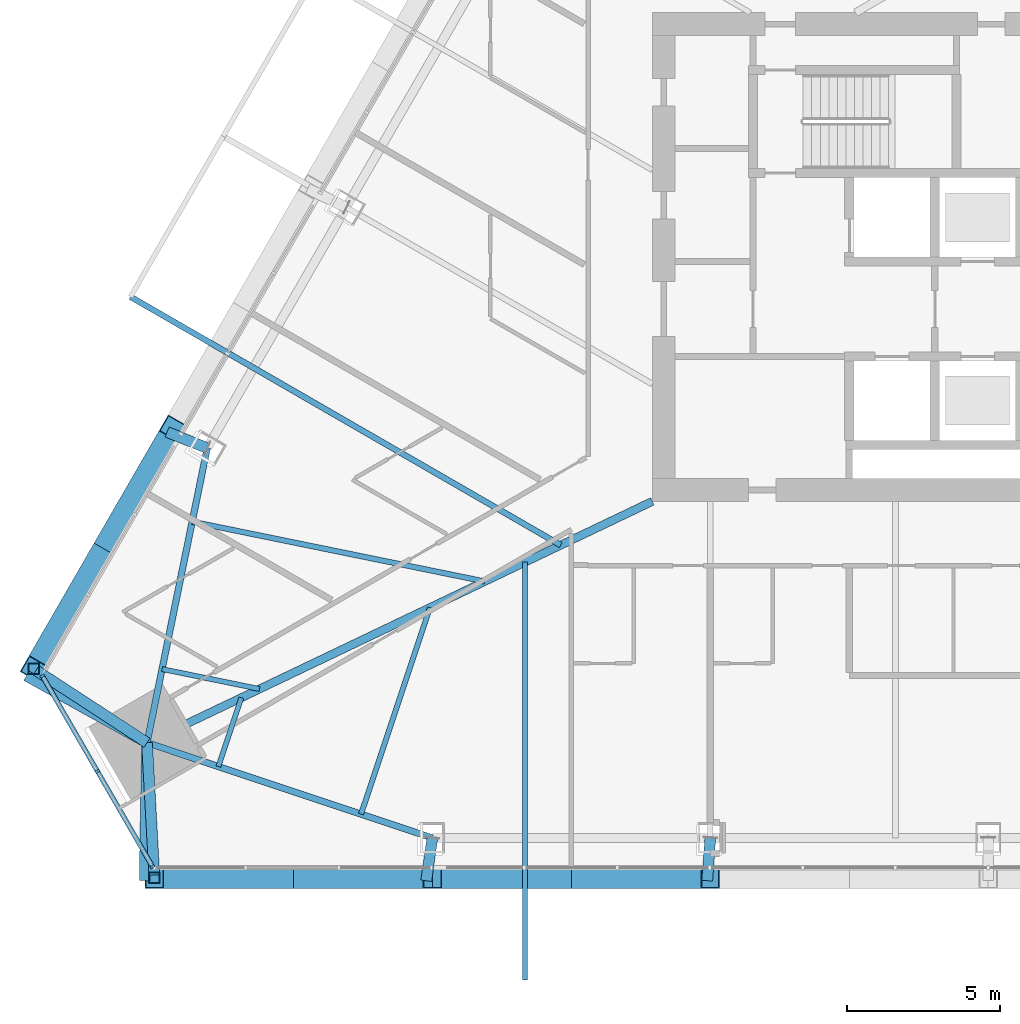
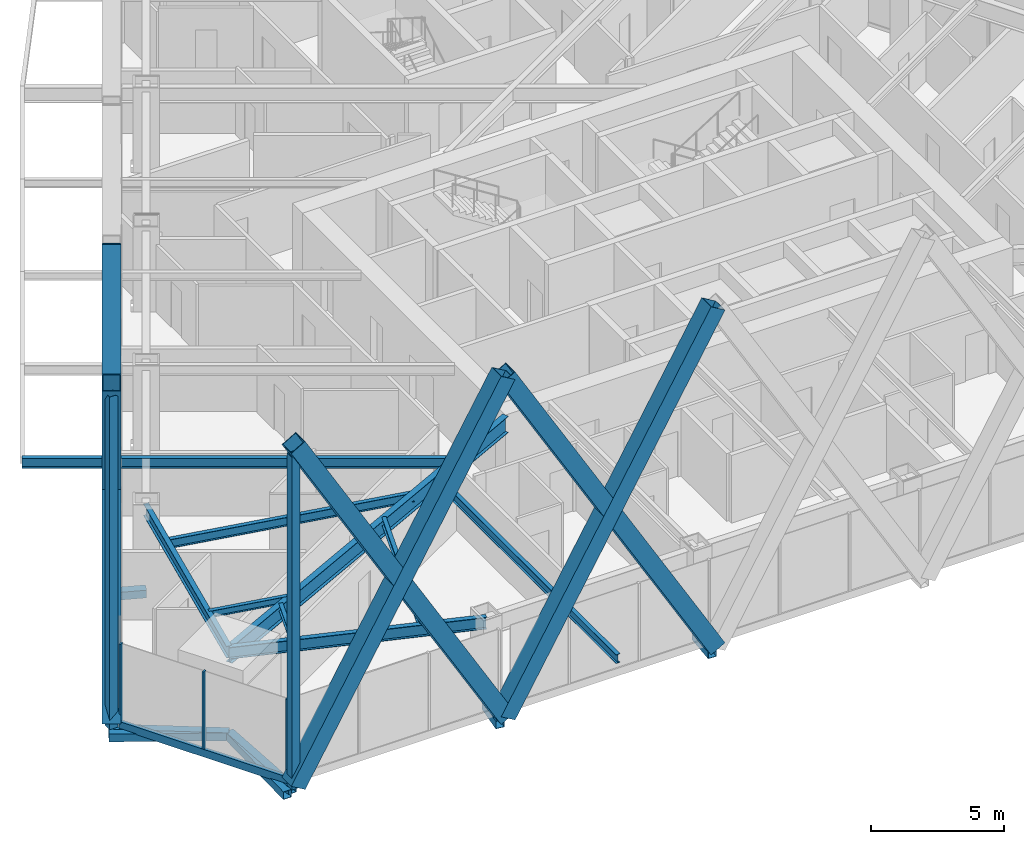
# One storey, part 2 of 26: 19 members, 9 beams, 1 element without a shape of its own.
"""IFC4 building model written with IfcOpenShell, lengths in metres."""

from ifc_helpers import new_model, si_unit, direction, frame, origin, origin_2d, place, context, subcontext, project, spatial, rectangle, hollow_rectangle, i_section, extrude, material, layer, layer_set, material_profile, profile_set, type_object, element, aggregate, save


model = new_model("IFC4")

# Units and contexts
model_context = context("Model", 3, precision=1e-05, world=origin(), true_north=direction((0.0, 1.0)))
body_context = subcontext(model_context, "Body", "Model", "MODEL_VIEW")
ifc_project = project(units=[si_unit("LENGTHUNIT", "METRE"), si_unit("AREAUNIT", "SQUARE_METRE"), si_unit("VOLUMEUNIT", "CUBIC_METRE"), si_unit("PLANEANGLEUNIT", "RADIAN"), si_unit("MASSUNIT", "GRAM", prefix="KILO")], contexts=[model_context])

# Site, building, storey
site_placement = place(None, origin())
site = spatial("IfcSite", under=ifc_project, at=site_placement, CompositionType="ELEMENT")
building_placement = place(site_placement, origin())
building = spatial("IfcBuilding", under=site, at=building_placement, Name="Firuza Gate Tower and Library", CompositionType="ELEMENT")
storey_placement = place(building_placement, frame((0.0, 0.0, 155.800048828125)))
storey = spatial("IfcBuildingStorey", under=building, at=storey_placement, Name="L35", CompositionType="ELEMENT", Elevation=155.800048828125)

# Members
ifc_material_1 = material(Name="Steel S355", Category="steel")
ifc_material_profile_1 = material_profile(ifc_material_1, hollow_rectangle(XDim=0.699951171875, YDim=0.699951171875, WallThickness=0.030029296875, at=origin_2d()))
ifc_profile_set_1 = profile_set([ifc_material_profile_1], Name="Steel S355")
member_type_1 = type_object("IfcMemberType", Name="BU700x700x30 Lattice brace", PredefinedType="BRACE", material=ifc_profile_set_1)
for number, where, z_axis, x_axis, name in (
    (1, (47.699951171875, 54.681396484375, 0.0), (0.503878590111, 0.0, 0.863774488178), (0.0, 1.0, 0.0), "Lattice brace S 8.1R"),
    (2, (56.800048828125, 54.681396484375, 0.0), (-0.503878590111, 0.0, 0.863774488178), (0.0, -1.0, 0.0), "Lattice brace S 8.1L"),
    (3, (56.800048828125, 54.681396484375, 0.0), (0.503868503969, 0.0, 0.863780371801), (0.0, 1.0, 0.0), "Lattice brace S 8.2R"),
    (4, (65.89990234375, 54.681396484375, 0.0), (-0.503868503969, 0.0, 0.863780371801), (0.0, -1.0, 0.0), "Lattice brace S 8.2L"),
    (5, (48.3037109375, 69.397705078125, 0.0), (-0.251939638216, -0.436369132457, 0.863775664704), (0.866023855101, -0.500002682389, 0.0), "Lattice brace W 8.6R"),
    (6, (43.753662109375, 61.516845703125, 0.0), (0.251939638216, 0.436369132457, 0.863775664704), (-0.866023855101, 0.500002682389, 0.0), "Lattice brace W 8.6L"),
):
    element("IfcMember", number, at=place(storey_placement, frame(where, z_axis=z_axis, x_axis=x_axis)), inside=storey, type_object=member_type_1, Name=name, PredefinedType="BRACE", context=body_context, shape_type="SweptSolid", body=[
        extrude(hollow_rectangle(XDim=0.699951171875, YDim=0.699951171875, WallThickness=0.030029296875, at=origin_2d()), origin(), (0.0, 0.0, 1.0), 18.06005859375),
    ])

# Curtain wall, members
ifc_material_2 = material(Name="Aluminium 6063-T6", Category="aluminium")
ifc_layer = layer(ifc_material_2, 0.14990234375)
ifc_layer_set = layer_set([ifc_layer], Name="Corner curtain wall, chamfers")
curtain_wall_type = type_object("IfcCurtainWallType", Name="Corner curtain wall, chamfers", PredefinedType="NOTDEFINED", material=ifc_layer_set)
curtain_wall_placement = place(storey_placement, origin())
curtain_wall = element("IfcCurtainWall", 7, at=curtain_wall_placement, inside=storey, type_object=curtain_wall_type, Name="CW4 L35 SW corner", PredefinedType="NOTDEFINED")
ifc_material_3 = material(Name="Aluminium 6063-T6", Category="aluminium")
ifc_material_profile_2 = material_profile(ifc_material_3, rectangle(XDim=0.14990234375, YDim=0.080078125, at=origin_2d()))
ifc_profile_set_2 = profile_set([ifc_material_profile_2], Name="Aluminium 6063-T6")
member_type_2 = type_object("IfcMemberType", Name="Curtain wall mullion 80x150", PredefinedType="MULLION", material=ifc_profile_set_2)
member_1_placement = place(storey_placement, frame((44.033447265625, 61.2822265625, 0.14990234375), z_axis=(0.0, 0.0, 1.0), x_axis=(0.866025403784, 0.5, 0.0)))
member_1 = element("IfcMember", 8, at=member_1_placement, type_object=member_type_2, Name="Mullion", PredefinedType="MULLION", context=body_context, shape_type="SweptSolid", body=[
    extrude(rectangle(XDim=0.14990234375, YDim=0.080078125, at=origin_2d()), origin(), (0.0, 0.0, 1.0), 3.550048828125),
])
member_2_placement = place(storey_placement, frame((45.8349609375, 58.16162109375, 0.14990234375), z_axis=(0.0, 0.0, 1.0), x_axis=(0.866025403784, 0.5, 0.0)))
member_2 = element("IfcMember", 9, at=member_2_placement, type_object=member_type_2, Name="Mullion", PredefinedType="MULLION", context=body_context, shape_type="SweptSolid", body=[
    extrude(rectangle(XDim=0.14990234375, YDim=0.080078125, at=origin_2d()), origin(), (0.0, 0.0, 1.0), 3.550048828125),
])
member_3_placement = place(storey_placement, frame((47.63671875, 55.041015625, 0.14990234375), z_axis=(0.0, 0.0, 1.0), x_axis=(0.866025403784, 0.5, 0.0)))
member_3 = element("IfcMember", 10, at=member_3_placement, type_object=member_type_2, Name="Mullion", PredefinedType="MULLION", context=body_context, shape_type="SweptSolid", body=[
    extrude(rectangle(XDim=0.14990234375, YDim=0.080078125, at=origin_2d()), origin(), (0.0, 0.0, 1.0), 3.550048828125),
])
ifc_material_4 = material(Name="Aluminium 6063-T6", Category="aluminium")
ifc_material_profile_3 = material_profile(ifc_material_4, rectangle(XDim=0.14990234375, YDim=0.35009765625, at=origin_2d()))
ifc_profile_set_3 = profile_set([ifc_material_profile_3], Name="Aluminium 6063-T6")
member_type_3 = type_object("IfcMemberType", Name="Curtain wall transom 350x150", PredefinedType="USERDEFINED", material=ifc_profile_set_3)
member_4_placement = place(storey_placement, frame((44.013427734375, 61.31689453125, -0.025146484375), z_axis=(0.499991211061, -0.866030478021, 0.0), x_axis=(0.866030478021, 0.499991211061, 0.0)))
member_4 = element("IfcMember", 11, at=member_4_placement, type_object=member_type_3, Name="Transom", ObjectType="TRANSOM", PredefinedType="USERDEFINED", context=body_context, shape_type="SweptSolid", body=[
    extrude(rectangle(XDim=0.14990234375, YDim=0.35009765625, at=origin_2d()), origin(), (0.0, 0.0, 1.0), 7.286865234375),
])
aggregate(curtain_wall, [member_1, member_2, member_3, member_4])

# Members
ifc_material_5 = material(Name="Steel S355", Category="steel")
ifc_material_profile_4 = material_profile(ifc_material_5, hollow_rectangle(XDim=0.355712890625, YDim=0.355712890625, WallThickness=0.014892578125, at=origin_2d()))
ifc_profile_set_4 = profile_set([ifc_material_profile_4], Name="Steel S355")
member_type_4 = type_object("IfcMemberType", Name="HSS356x356x16 Lattice corner stile", PredefinedType="BRACE", material=ifc_profile_set_4)
for number, where, z_axis, x_axis, name in (
    (12, (47.699951171875, 54.681396484375, -0.14013671875), (0.0, 0.0, 1.0), (1.0, 0.0, 0.0), "Lattice corner stile S 8.A"),
    (13, (43.753662109375, 61.516845703125, -0.14013671875), (0.0, 0.0, 1.0), (1.0, 0.0, 0.0), "Lattice corner stile W 8.B"),
):
    element("IfcMember", number, at=place(storey_placement, frame(where, z_axis=z_axis, x_axis=x_axis)), inside=storey, type_object=member_type_4, Name=name, PredefinedType="BRACE", context=body_context, shape_type="SweptSolid", body=[
        extrude(hollow_rectangle(XDim=0.355712890625, YDim=0.355712890625, WallThickness=0.014892578125, at=origin_2d()), origin(), (0.0, 0.0, 1.0), 15.239990234375),
    ])
ifc_material_6 = material(Name="Steel S355", Category="steel")
ifc_material_profile_5 = material_profile(ifc_material_6, hollow_rectangle(XDim=0.355712890625, YDim=0.355712890625, WallThickness=0.014892578125, at=origin_2d()))
ifc_profile_set_5 = profile_set([ifc_material_profile_5], Name="Steel S355")
member_type_5 = type_object("IfcMemberType", Name="HSS356x356x16 Lattice node tie", PredefinedType="BRACE", material=ifc_profile_set_5)
member_5_placement = place(storey_placement, frame((47.458740234375, 59.09912109375, -0.340087890625), z_axis=(-0.017128917678, -0.999853289328, 0.0), x_axis=(0.999853289328, -0.017128917678, 0.0)))
element("IfcMember", 14, at=member_5_placement, inside=storey, type_object=member_type_5, Name="Lattice node tie S L35 157", PredefinedType="BRACE", context=body_context, shape_type="SweptSolid", body=[
    extrude(hollow_rectangle(XDim=0.355712890625, YDim=0.355712890625, WallThickness=0.014892578125, at=origin_2d()), origin(), (0.0, 0.0, 1.0), 4.518310546875),
])
member_6_placement = place(storey_placement, frame((47.458740234375, 59.09912109375, -0.340087890625), z_axis=(0.054519569981, -0.998512702217, 0.0), x_axis=(0.998512702217, 0.054519569981, 0.0)))
element("IfcMember", 15, at=member_6_placement, inside=storey, type_object=member_type_5, Name="Lattice node tie S L35 158", PredefinedType="BRACE", context=body_context, shape_type="SweptSolid", body=[
    extrude(hollow_rectangle(XDim=0.355712890625, YDim=0.355712890625, WallThickness=0.014892578125, at=origin_2d()), origin(), (0.0, 0.0, 1.0), 4.339111328125),
])
member_7_placement = place(storey_placement, frame((56.800048828125, 55.9814453125, -0.340087890625), z_axis=(-0.142314863465, -0.989821438259, 0.0), x_axis=(0.989821438259, -0.142314863465, 0.0)))
element("IfcMember", 16, at=member_7_placement, inside=storey, type_object=member_type_5, Name="Lattice node tie S L35 159", PredefinedType="BRACE", context=body_context, shape_type="SweptSolid", body=[
    extrude(hollow_rectangle(XDim=0.355712890625, YDim=0.355712890625, WallThickness=0.014892578125, at=origin_2d()), origin(), (0.0, 0.0, 1.0), 1.415283203125),
])
member_8_placement = place(storey_placement, frame((65.89990234375, 55.9814453125, -0.340087890625), z_axis=(-0.071654916629, -0.997429482682, 0.0), x_axis=(0.997429482682, -0.071654916629, 0.0)))
element("IfcMember", 17, at=member_8_placement, inside=storey, type_object=member_type_5, Name="Lattice node tie S L35 160", PredefinedType="BRACE", context=body_context, shape_type="SweptSolid", body=[
    extrude(hollow_rectangle(XDim=0.355712890625, YDim=0.355712890625, WallThickness=0.014892578125, at=origin_2d()), origin(), (0.0, 0.0, 1.0), 1.40380859375),
])
member_9_placement = place(storey_placement, frame((47.458740234375, 59.09912109375, -0.340087890625), z_axis=(-0.874468060041, 0.485083098003, 0.0), x_axis=(-0.485083098003, -0.874468060041, 0.0)))
element("IfcMember", 18, at=member_9_placement, inside=storey, type_object=member_type_5, Name="Lattice node tie W L35 166", PredefinedType="BRACE", context=body_context, shape_type="SweptSolid", body=[
    extrude(hollow_rectangle(XDim=0.355712890625, YDim=0.355712890625, WallThickness=0.014892578125, at=origin_2d()), origin(), (0.0, 0.0, 1.0), 4.51806640625),
])
member_10_placement = place(storey_placement, frame((47.458740234375, 59.09912109375, -0.340087890625), z_axis=(-0.837471778281, 0.546480576583, 0.0), x_axis=(-0.546480576583, -0.837471778281, 0.0)))
element("IfcMember", 19, at=member_10_placement, inside=storey, type_object=member_type_5, Name="Lattice node tie W L35 167", PredefinedType="BRACE", context=body_context, shape_type="SweptSolid", body=[
    extrude(hollow_rectangle(XDim=0.355712890625, YDim=0.355712890625, WallThickness=0.014892578125, at=origin_2d()), origin(), (0.0, 0.0, 1.0), 4.33935546875),
])
member_11_placement = place(storey_placement, frame((49.429443359375, 68.74755859375, -0.340087890625), z_axis=(-0.928321938625, 0.371777323497, 0.0), x_axis=(-0.371777323497, -0.928321938625, 0.0)))
element("IfcMember", 20, at=member_11_placement, inside=storey, type_object=member_type_5, Name="Lattice node tie W L35 168", PredefinedType="BRACE", context=body_context, shape_type="SweptSolid", body=[
    extrude(hollow_rectangle(XDim=0.355712890625, YDim=0.355712890625, WallThickness=0.014892578125, at=origin_2d()), origin(), (0.0, 0.0, 1.0), 1.4150390625),
])

# Beams
ifc_material_7 = material(Name="Steel S355", Category="steel")
ifc_material_profile_6 = material_profile(ifc_material_7, i_section(OverallWidth=0.1650390625, OverallDepth=0.31005859375, WebThickness=0.005859375, FlangeThickness=0.009765625, at=origin_2d()))
ifc_profile_set_6 = profile_set([ifc_material_profile_6], Name="Steel S355")
beam_type_1 = type_object("IfcBeamType", Name="W310x39 Floor beam", PredefinedType="JOIST", material=ifc_profile_set_6)
beam_1_placement = place(storey_placement, frame((47.951416015625, 61.51123046875, 3.544921875), z_axis=(0.979768391381, -0.200134702767, 0.0), x_axis=(0.200134702767, 0.979768391381, 0.0)))
element("IfcBeam", 21, at=beam_1_placement, inside=storey, type_object=beam_type_1, Name="Floor beam L35 s01", PredefinedType="JOIST", context=body_context, shape_type="SweptSolid", body=[
    extrude(i_section(OverallWidth=0.1650390625, OverallDepth=0.31005859375, WebThickness=0.005859375, FlangeThickness=0.009765625, at=origin_2d()), origin(), (0.0, 0.0, 1.0), 3.25830078125),
])
beam_2_placement = place(storey_placement, frame((49.794189453125, 58.319580078125, 3.544921875), z_axis=(0.316597550941, 0.948559956322, 0.0), x_axis=(-0.948559956322, 0.316597550941, 0.0)))
element("IfcBeam", 22, at=beam_2_placement, inside=storey, type_object=beam_type_1, Name="Floor beam L35 s10", PredefinedType="JOIST", context=body_context, shape_type="SweptSolid", body=[
    extrude(i_section(OverallWidth=0.1650390625, OverallDepth=0.31005859375, WebThickness=0.005859375, FlangeThickness=0.009765625, at=origin_2d()), origin(), (0.0, 0.0, 1.0), 2.376708984375),
])
ifc_material_8 = material(Name="Steel S355", Category="steel")
ifc_material_profile_7 = material_profile(ifc_material_8, i_section(OverallWidth=0.1708984375, OverallDepth=0.35498046875, WebThickness=0.007080078125, FlangeThickness=0.01171875, at=origin_2d()))
ifc_profile_set_7 = profile_set([ifc_material_profile_7], Name="Steel S355")
beam_type_2 = type_object("IfcBeamType", Name="W360x51 Floor beam", PredefinedType="JOIST", material=ifc_profile_set_7)
beam_3_placement = place(storey_placement, frame((54.464599609375, 56.7607421875, 3.5224609375), z_axis=(0.316607834402, 0.948556523985, 0.0), x_axis=(-0.948556523985, 0.316607834402, 0.0)))
element("IfcBeam", 23, at=beam_3_placement, inside=storey, type_object=beam_type_2, Name="Floor beam L35 s11", PredefinedType="JOIST", context=body_context, shape_type="SweptSolid", body=[
    extrude(i_section(OverallWidth=0.1708984375, OverallDepth=0.35498046875, WebThickness=0.007080078125, FlangeThickness=0.01171875, at=origin_2d()), origin(), (0.0, 0.0, 1.0), 7.129638671875),
])
ifc_material_9 = material(Name="Steel S355", Category="steel")
ifc_material_profile_8 = material_profile(ifc_material_9, i_section(OverallWidth=0.177978515625, OverallDepth=0.406982421875, WebThickness=0.0078125, FlangeThickness=0.0126953125, at=origin_2d()))
ifc_profile_set_8 = profile_set([ifc_material_profile_8], Name="Steel S355")
beam_type_3 = type_object("IfcBeamType", Name="W410x60 Floor beam", PredefinedType="JOIST", material=ifc_profile_set_8)
beam_4_placement = place(storey_placement, frame((48.936767578125, 66.33544921875, 3.496337890625), z_axis=(0.979778185274, -0.200086750337, 0.0), x_axis=(0.200086750337, 0.979778185274, 0.0)))
element("IfcBeam", 24, at=beam_4_placement, inside=storey, type_object=beam_type_3, Name="Floor beam L35 s00", PredefinedType="JOIST", context=body_context, shape_type="SweptSolid", body=[
    extrude(i_section(OverallWidth=0.177978515625, OverallDepth=0.406982421875, WebThickness=0.0078125, FlangeThickness=0.0126953125, at=origin_2d()), origin(), (0.0, 0.0, 1.0), 9.77490234375),
])
beam_5_placement = place(storey_placement, frame((59.833251953125, 51.331298828125, 3.496337890625), z_axis=(0.0, 1.0, 0.0), x_axis=(-1.0, 0.0, 0.0)))
element("IfcBeam", 25, at=beam_5_placement, inside=storey, type_object=beam_type_3, Name="Floor beam L35 s20", PredefinedType="JOIST", context=body_context, shape_type="SweptSolid", body=[
    extrude(i_section(OverallWidth=0.177978515625, OverallDepth=0.406982421875, WebThickness=0.0078125, FlangeThickness=0.0126953125, at=origin_2d()), origin(), (0.0, 0.0, 1.0), 13.678466796875),
])
ifc_material_10 = material(Name="Steel S355", Category="steel")
ifc_material_profile_9 = material_profile(ifc_material_10, i_section(OverallWidth=0.18994140625, OverallDepth=0.45703125, WebThickness=0.009033203125, FlangeThickness=0.014404296875, at=origin_2d()))
ifc_profile_set_9 = profile_set([ifc_material_profile_9], Name="Steel S355")
beam_type_4 = type_object("IfcBeamType", Name="W460x74 Floor beam", PredefinedType="JOIST", material=ifc_profile_set_9)
beam_6_placement = place(storey_placement, frame((46.919189453125, 73.699462890625, 3.471435546875), z_axis=(0.866025583389, -0.499999688915, 0.0), x_axis=(0.499999688915, 0.866025583389, 0.0)))
element("IfcBeam", 26, at=beam_6_placement, inside=storey, type_object=beam_type_4, Name="Floor beam L35 s85", PredefinedType="JOIST", context=body_context, shape_type="SweptSolid", body=[
    extrude(i_section(OverallWidth=0.18994140625, OverallDepth=0.45703125, WebThickness=0.009033203125, FlangeThickness=0.014404296875, at=origin_2d()), origin(), (0.0, 0.0, 1.0), 16.26220703125),
])
ifc_material_11 = material(Name="Steel S355", Category="steel")
ifc_material_profile_10 = material_profile(ifc_material_11, i_section(OverallWidth=0.212890625, OverallDepth=0.5390625, WebThickness=0.01171875, FlangeThickness=0.018798828125, at=origin_2d()))
ifc_profile_set_10 = profile_set([ifc_material_profile_10], Name="Steel S355")
beam_type_5 = type_object("IfcBeamType", Name="W530x109 Edge beam", PredefinedType="SPANDREL", material=ifc_profile_set_10)
beam_7_placement = place(storey_placement, frame((49.429443359375, 68.74755859375, 3.430419921875), z_axis=(-0.200119327084, -0.979771532005, 0.0), x_axis=(0.979771532005, -0.200119327084, 0.0)))
element("IfcBeam", 27, at=beam_7_placement, inside=storey, type_object=beam_type_5, Name="Edge beam L35 e00", PredefinedType="SPANDREL", context=body_context, shape_type="SweptSolid", body=[
    extrude(i_section(OverallWidth=0.212890625, OverallDepth=0.5390625, WebThickness=0.01171875, FlangeThickness=0.018798828125, at=origin_2d()), origin(), (0.0, 0.0, 1.0), 9.84765625),
])
beam_8_placement = place(storey_placement, frame((47.458740234375, 59.09912109375, 3.430419921875), z_axis=(0.948564232702, -0.316584738163, 0.0), x_axis=(0.316584738163, 0.948564232702, 0.0)))
element("IfcBeam", 28, at=beam_8_placement, inside=storey, type_object=beam_type_5, Name="Edge beam L35 e10", PredefinedType="SPANDREL", context=body_context, shape_type="SweptSolid", body=[
    extrude(i_section(OverallWidth=0.212890625, OverallDepth=0.5390625, WebThickness=0.01171875, FlangeThickness=0.018798828125, at=origin_2d()), origin(), (0.0, 0.0, 1.0), 9.847900390625),
])
ifc_material_12 = material(Name="Steel S355", Category="steel")
ifc_material_profile_11 = material_profile(ifc_material_12, i_section(OverallWidth=0.264892578125, OverallDepth=0.7529296875, WebThickness=0.01318359375, FlangeThickness=0.01708984375, at=origin_2d()))
ifc_profile_set_11 = profile_set([ifc_material_profile_11], Name="Steel S355")
beam_type_6 = type_object("IfcBeamType", Name="W760x147 Girder", PredefinedType="BEAM", material=ifc_profile_set_11)
beam_9_placement = place(storey_placement, frame((47.458740234375, 59.09912109375, 3.323486328125), z_axis=(0.902349802706, 0.431004447259, 0.0), x_axis=(-0.431004447259, 0.902349802706, 0.0)))
element("IfcBeam", 29, at=beam_9_placement, inside=storey, type_object=beam_type_6, Name="Girder L35 gSW", PredefinedType="BEAM", context=body_context, shape_type="SweptSolid", body=[
    extrude(i_section(OverallWidth=0.264892578125, OverallDepth=0.7529296875, WebThickness=0.01318359375, FlangeThickness=0.01708984375, at=origin_2d()), origin(), (0.0, 0.0, 1.0), 18.331298828125),
])

save(model, "model.ifc")
